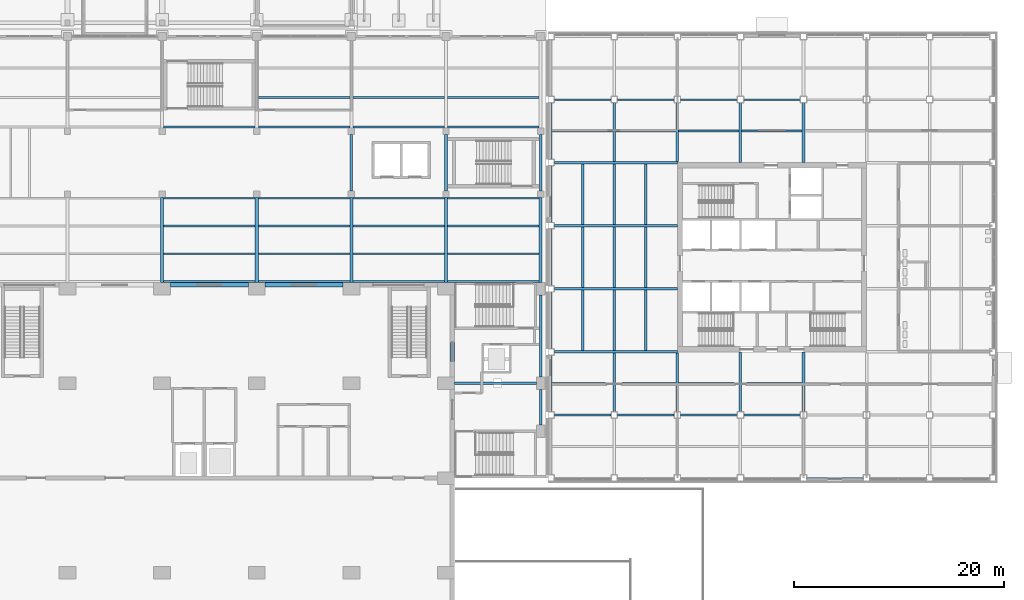
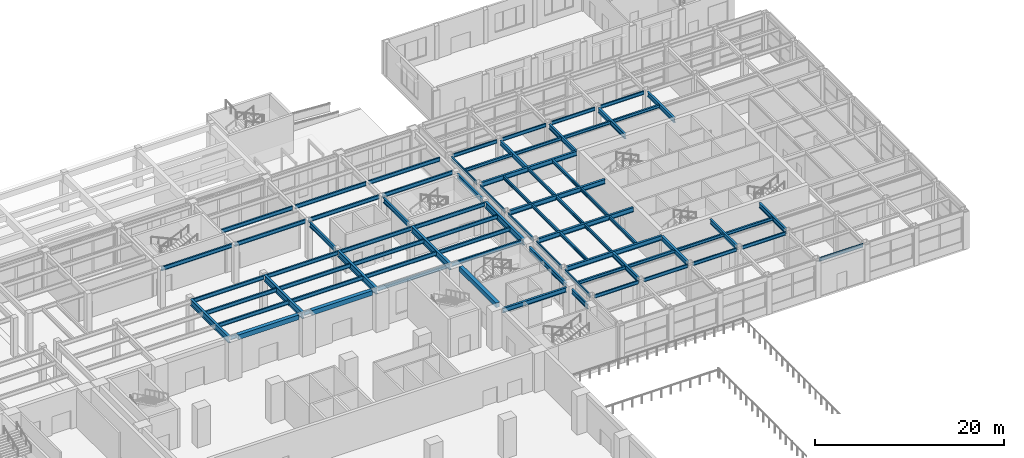
# One storey, part 19 of 77: 80 beams.
"""IFC4 building model written with IfcOpenShell, lengths in metres."""

from ifc_helpers import new_model, si_unit, direction, frame, origin, origin_2d, place, context, subcontext, project, spatial, rectangle, i_section, extrude, material, material_profile, profile_set, type_object, element, save


model = new_model("IFC4")

# Units and contexts
model_context = context("Model", 3, precision=1e-05, world=origin(), true_north=direction((0.0, 1.0)))
body_context = subcontext(model_context, "Body", "Model", "MODEL_VIEW")
ifc_project = project(units=[si_unit("LENGTHUNIT", "METRE"), si_unit("AREAUNIT", "SQUARE_METRE"), si_unit("VOLUMEUNIT", "CUBIC_METRE"), si_unit("PLANEANGLEUNIT", "RADIAN"), si_unit("MASSUNIT", "GRAM", prefix="KILO")], contexts=[model_context])

# Site, building, storey
site_placement = place(None, origin())
site = spatial("IfcSite", under=ifc_project, at=site_placement, CompositionType="ELEMENT")
building_placement = place(site_placement, origin())
building = spatial("IfcBuilding", under=site, at=building_placement, Name="Aravalli Gate Trade Fair Centre", CompositionType="ELEMENT")
storey_placement = place(building_placement, origin())
storey = spatial("IfcBuildingStorey", under=building, at=storey_placement, Name="L00", CompositionType="ELEMENT", Elevation=0.0)

# Beams
ifc_material_1 = material(Name="Concrete M45", Category="concrete")
ifc_material_profile_1 = material_profile(ifc_material_1, rectangle(XDim=0.449951171875, YDim=0.60009765625, at=origin_2d()), Name="RC 450x600")
ifc_profile_set_1 = profile_set([ifc_material_profile_1], Name="Concrete M45")
beam_type_1 = type_object("IfcBeamType", Name="Congress RC lintel beam 450 x 600", PredefinedType="BEAM", material=ifc_profile_set_1)
beam_1_placement = place(storey_placement, frame((150.60009765625, 100.60009765625, 4.699951171875), z_axis=(0.0, 1.0, 0.0), x_axis=(-1.0, 0.0, 0.0)))
element("IfcBeam", 1, at=beam_1_placement, inside=storey, type_object=beam_type_1, Name="Lintel E L00 bay 7", PredefinedType="BEAM", context=body_context, shape_type="SweptSolid", body=[
    extrude(rectangle(XDim=0.449951171875, YDim=0.60009765625, at=origin_2d()), origin(), (0.0, 0.0, 1.0), 7.7998046875),
])
for number, where, z_axis, x_axis, name in (
    (2, (123.800048828125, 109.375, 4.699951171875), (1.0, 0.0, 0.0), (0.0, 1.0, 0.0), "Lintel N L00 bay 3"),
    (3, (132.800048828125, 109.375, 4.699951171875), (1.0, 0.0, 0.0), (0.0, 1.0, 0.0), "Lintel N L00 bay 4"),
):
    element("IfcBeam", number, at=place(storey_placement, frame(where, z_axis=z_axis, x_axis=x_axis)), inside=storey, type_object=beam_type_1, Name=name, PredefinedType="BEAM", context=body_context, shape_type="SweptSolid", body=[
        extrude(rectangle(XDim=0.449951171875, YDim=0.60009765625, at=origin_2d()), origin(), (0.0, 0.0, 1.0), 7.39990234375),
    ])
ifc_material_2 = material(Name="Steel E350", Category="steel")
ifc_material_profile_2 = material_profile(ifc_material_2, i_section(OverallWidth=0.179931640625, OverallDepth=0.5, WebThickness=0.01025390625, FlangeThickness=0.01708984375, at=origin_2d()), Name="ISMB 500")
ifc_profile_set_2 = profile_set([ifc_material_profile_2], Name="Steel E350")
beam_type_2 = type_object("IfcBeamType", Name="ISMB 500 gallery secondary beam", PredefinedType="JOIST", material=ifc_profile_set_2)
for number, where, z_axis, x_axis, name in (
    (4, (123.14990234375, 109.68994140625, 4.550048828125), (1.0, 0.0, 0.0), (0.0, 1.0, 0.0), "Gallery beam S0 14-15 L01"),
    (5, (123.14990234375, 112.330078125, 4.550048828125), (1.0, 0.0, 0.0), (0.0, 1.0, 0.0), "Gallery beam S1 14-15 L01"),
    (6, (123.14990234375, 114.969970703125, 4.550048828125), (1.0, 0.0, 0.0), (0.0, 1.0, 0.0), "Gallery beam S2 14-15 L01"),
    (7, (123.14990234375, 117.610107421875, 4.550048828125), (1.0, 0.0, 0.0), (0.0, 1.0, 0.0), "Gallery beam S3 14-15 L01"),
    (8, (123.14990234375, 124.389892578125, 4.550048828125), (1.0, 0.0, 0.0), (0.0, 1.0, 0.0), "Gallery beam N4 14-15 L01"),
    (9, (132.14990234375, 109.68994140625, 4.550048828125), (1.0, 0.0, 0.0), (0.0, 1.0, 0.0), "Gallery beam S0 15-16 L01"),
    (10, (132.14990234375, 112.330078125, 4.550048828125), (1.0, 0.0, 0.0), (0.0, 1.0, 0.0), "Gallery beam S1 15-16 L01"),
    (11, (132.14990234375, 114.969970703125, 4.550048828125), (1.0, 0.0, 0.0), (0.0, 1.0, 0.0), "Gallery beam S2 15-16 L01"),
    (12, (132.14990234375, 117.610107421875, 4.550048828125), (1.0, 0.0, 0.0), (0.0, 1.0, 0.0), "Gallery beam S3 15-16 L01"),
    (13, (132.14990234375, 124.389892578125, 4.550048828125), (1.0, 0.0, 0.0), (0.0, 1.0, 0.0), "Gallery beam N4 15-16 L01"),
    (14, (132.14990234375, 127.203369140625, 4.550048828125), (1.0, 0.0, 0.0), (0.0, 1.0, 0.0), "Gallery beam N5 15-16 L01"),
    (15, (141.14990234375, 109.68994140625, 4.550048828125), (1.0, 0.0, 0.0), (0.0, 1.0, 0.0), "Gallery beam S0 16-17 L01"),
    (16, (141.14990234375, 112.330078125, 4.550048828125), (1.0, 0.0, 0.0), (0.0, 1.0, 0.0), "Gallery beam S1 16-17 L01"),
    (17, (141.14990234375, 114.969970703125, 4.550048828125), (1.0, 0.0, 0.0), (0.0, 1.0, 0.0), "Gallery beam S2 16-17 L01"),
    (18, (141.14990234375, 117.610107421875, 4.550048828125), (1.0, 0.0, 0.0), (0.0, 1.0, 0.0), "Gallery beam S3 16-17 L01"),
    (19, (141.14990234375, 124.389892578125, 4.550048828125), (1.0, 0.0, 0.0), (0.0, 1.0, 0.0), "Gallery beam N4 16-17 L01"),
    (20, (141.14990234375, 127.203369140625, 4.550048828125), (1.0, 0.0, 0.0), (0.0, 1.0, 0.0), "Gallery beam N5 16-17 L01"),
    (21, (150.14990234375, 109.68994140625, 4.550048828125), (1.0, 0.0, 0.0), (0.0, 1.0, 0.0), "Gallery beam S0 17-E L01"),
    (22, (150.14990234375, 112.330078125, 4.550048828125), (1.0, 0.0, 0.0), (0.0, 1.0, 0.0), "Gallery beam S1 17-E L01"),
    (23, (150.14990234375, 114.969970703125, 4.550048828125), (1.0, 0.0, 0.0), (0.0, 1.0, 0.0), "Gallery beam S2 17-E L01"),
    (24, (150.14990234375, 117.610107421875, 4.550048828125), (1.0, 0.0, 0.0), (0.0, 1.0, 0.0), "Gallery beam S3 17-E L01"),
    (25, (150.14990234375, 124.389892578125, 4.550048828125), (1.0, 0.0, 0.0), (0.0, 1.0, 0.0), "Gallery beam N4 17-E L01"),
    (26, (150.14990234375, 127.203369140625, 4.550048828125), (1.0, 0.0, 0.0), (0.0, 1.0, 0.0), "Gallery beam N5 17-E L01"),
):
    element("IfcBeam", number, at=place(storey_placement, frame(where, z_axis=z_axis, x_axis=x_axis)), inside=storey, type_object=beam_type_2, Name=name, PredefinedType="JOIST", context=body_context, shape_type="SweptSolid", body=[
        extrude(i_section(OverallWidth=0.179931640625, OverallDepth=0.5, WebThickness=0.01025390625, FlangeThickness=0.01708984375, at=origin_2d()), origin(), (0.0, 0.0, 1.0), 8.7001953125),
    ])
ifc_material_profile_3 = material_profile(ifc_material_2, i_section(OverallWidth=0.25, OverallDepth=0.60009765625, WebThickness=0.01123046875, FlangeThickness=0.021240234375, at=origin_2d()), Name="ISWB 600")
ifc_profile_set_3 = profile_set([ifc_material_profile_3], Name="Steel E350")
beam_type_3 = type_object("IfcBeamType", Name="ISWB 600 gallery girder", PredefinedType="BEAM", material=ifc_profile_set_3)
for number, where, z_axis, x_axis, name in (
    (27, (141.0, 118.300048828125, 4.5), (0.0, 1.0, 0.0), (-1.0, 0.0, 0.0), "Gallery girder M16 L01"),
    (28, (150.0, 118.300048828125, 4.5), (0.0, 1.0, 0.0), (-1.0, 0.0, 0.0), "Gallery girder M17 L01"),
    (29, (159.0, 118.300048828125, 4.5), (0.0, 1.0, 0.0), (-1.0, 0.0, 0.0), "Gallery girder ME L01"),
):
    element("IfcBeam", number, at=place(storey_placement, frame(where, z_axis=z_axis, x_axis=x_axis)), inside=storey, type_object=beam_type_3, Name=name, PredefinedType="BEAM", context=body_context, shape_type="SweptSolid", body=[
        extrude(i_section(OverallWidth=0.25, OverallDepth=0.60009765625, WebThickness=0.01123046875, FlangeThickness=0.021240234375, at=origin_2d()), origin(), (0.0, 0.0, 1.0), 5.39990234375),
    ])
ifc_material_profile_4 = material_profile(ifc_material_2, i_section(OverallWidth=0.2099609375, OverallDepth=0.60009765625, WebThickness=0.011962890625, FlangeThickness=0.020263671875, at=origin_2d()), Name="ISMB 600")
ifc_profile_set_4 = profile_set([ifc_material_profile_4], Name="Steel E350")
beam_type_4 = type_object("IfcBeamType", Name="Link girder ISMB 600", PredefinedType="BEAM", material=ifc_profile_set_4)
beam_2_placement = place(storey_placement, frame((159.0, 96.050048828125, 4.2900390625), z_axis=(0.0, 1.0, 0.0), x_axis=(-1.0, 0.0, 0.0)))
element("IfcBeam", 30, at=beam_2_placement, inside=storey, type_object=beam_type_4, Name="Link girder EFG L01", PredefinedType="BEAM", context=body_context, shape_type="SweptSolid", body=[
    extrude(i_section(OverallWidth=0.2099609375, OverallDepth=0.60009765625, WebThickness=0.011962890625, FlangeThickness=0.020263671875, at=origin_2d()), origin(), (0.0, 0.0, 1.0), 3.349853515625),
])
ifc_material_profile_5 = material_profile(ifc_material_2, i_section(OverallWidth=0.25, OverallDepth=0.60009765625, WebThickness=0.01123046875, FlangeThickness=0.021240234375, at=origin_2d()), Name="ISWB 600")
ifc_profile_set_5 = profile_set([ifc_material_profile_5], Name="Steel E350")
beam_type_5 = type_object("IfcBeamType", Name="Link transfer girder ISWB 600", PredefinedType="BEAM", material=ifc_profile_set_5)
beam_3_placement = place(storey_placement, frame((159.0, 100.60009765625, 4.2900390625), z_axis=(0.0, 1.0, 0.0), x_axis=(-1.0, 0.0, 0.0)))
element("IfcBeam", 31, at=beam_3_placement, inside=storey, type_object=beam_type_5, Name="Link transfer girder EGH L01", PredefinedType="BEAM", context=body_context, shape_type="SweptSolid", body=[
    extrude(i_section(OverallWidth=0.25, OverallDepth=0.60009765625, WebThickness=0.01123046875, FlangeThickness=0.021240234375, at=origin_2d()), origin(), (0.0, 0.0, 1.0), 7.7998046875),
])
beam_4_placement = place(storey_placement, frame((150.800048828125, 100.0, 4.2900390625), z_axis=(1.0, 0.0, 0.0), x_axis=(0.0, 1.0, 0.0)))
element("IfcBeam", 32, at=beam_4_placement, inside=storey, type_object=beam_type_5, Name="Link transfer girder WE L01", PredefinedType="BEAM", context=body_context, shape_type="SweptSolid", body=[
    extrude(i_section(OverallWidth=0.25, OverallDepth=0.60009765625, WebThickness=0.01123046875, FlangeThickness=0.021240234375, at=origin_2d()), origin(), (0.0, 0.0, 1.0), 7.800048828125),
])
ifc_material_profile_6 = material_profile(ifc_material_2, i_section(OverallWidth=0.300048828125, OverallDepth=0.800048828125, WebThickness=0.011962890625, FlangeThickness=0.02490234375, at=origin_2d()), Name="PG 800x300x12x25")
ifc_profile_set_6 = profile_set([ifc_material_profile_6], Name="Steel E350")
beam_type_6 = type_object("IfcBeamType", Name="PG 800x300x12x25 gallery plate girder", PredefinedType="BEAM", material=ifc_profile_set_6)
for number, where, z_axis, x_axis, name in (
    (33, (123.0, 109.60009765625, 4.39990234375), (0.0, 1.0, 0.0), (-1.0, 0.0, 0.0), "Gallery girder S14 L01"),
    (34, (132.0, 109.60009765625, 4.39990234375), (0.0, 1.0, 0.0), (-1.0, 0.0, 0.0), "Gallery girder S15 L01"),
    (35, (141.0, 109.60009765625, 4.39990234375), (0.0, 1.0, 0.0), (-1.0, 0.0, 0.0), "Gallery girder S16 L01"),
    (36, (150.0, 109.60009765625, 4.39990234375), (0.0, 1.0, 0.0), (-1.0, 0.0, 0.0), "Gallery girder S17 L01"),
    (37, (159.0, 109.60009765625, 4.39990234375), (0.0, 1.0, 0.0), (-1.0, 0.0, 0.0), "Gallery girder SE L01"),
):
    element("IfcBeam", number, at=place(storey_placement, frame(where, z_axis=z_axis, x_axis=x_axis)), inside=storey, type_object=beam_type_6, Name=name, PredefinedType="BEAM", context=body_context, shape_type="SweptSolid", body=[
        extrude(i_section(OverallWidth=0.300048828125, OverallDepth=0.800048828125, WebThickness=0.011962890625, FlangeThickness=0.02490234375, at=origin_2d()), origin(), (0.0, 0.0, 1.0), 8.099853515625),
    ])
ifc_material_profile_7 = material_profile(ifc_material_2, i_section(OverallWidth=0.25, OverallDepth=0.60009765625, WebThickness=0.01123046875, FlangeThickness=0.021240234375, at=origin_2d()), Name="ISWB 600")
ifc_profile_set_7 = profile_set([ifc_material_profile_7], Name="Steel E350")
beam_type_7 = type_object("IfcBeamType", Name="Wing core to perimeter girder ISWB 600 (podium floors)", PredefinedType="BEAM", material=ifc_profile_set_7)
for number, where, z_axis, x_axis, name in (
    (38, (160.300048828125, 103.0, 4.5), (1.0, 0.0, 0.0), (0.0, 1.0, 0.0), "Core to perimeter girder PW0 L01"),
    (39, (160.300048828125, 109.0, 4.5), (1.0, 0.0, 0.0), (0.0, 1.0, 0.0), "Core to perimeter girder PW1 L01"),
    (40, (160.300048828125, 115.0, 4.5), (1.0, 0.0, 0.0), (0.0, 1.0, 0.0), "Core to perimeter girder PW2 L01"),
    (41, (160.300048828125, 121.0, 4.5), (1.0, 0.0, 0.0), (0.0, 1.0, 0.0), "Core to perimeter girder PW3 L01"),
):
    element("IfcBeam", number, at=place(storey_placement, frame(where, z_axis=z_axis, x_axis=x_axis)), inside=storey, type_object=beam_type_7, Name=name, PredefinedType="BEAM", context=body_context, shape_type="SweptSolid", body=[
        extrude(i_section(OverallWidth=0.25, OverallDepth=0.60009765625, WebThickness=0.01123046875, FlangeThickness=0.021240234375, at=origin_2d()), origin(), (0.0, 0.0, 1.0), 11.699951171875),
    ])
for number, where, z_axis, x_axis, name in (
    (42, (172.0, 97.300048828125, 4.5), (0.0, 1.0, 0.0), (-1.0, 0.0, 0.0), "Core to perimeter girder PS0b L01"),
    (43, (172.0, 121.125, 4.5), (0.0, 1.0, 0.0), (-1.0, 0.0, 0.0), "Core to perimeter girder PN0a L01"),
):
    element("IfcBeam", number, at=place(storey_placement, frame(where, z_axis=z_axis, x_axis=x_axis)), inside=storey, type_object=beam_type_7, Name=name, PredefinedType="BEAM", context=body_context, shape_type="SweptSolid", body=[
        extrude(i_section(OverallWidth=0.25, OverallDepth=0.60009765625, WebThickness=0.01123046875, FlangeThickness=0.021240234375, at=origin_2d()), origin(), (0.0, 0.0, 1.0), 5.574951171875),
    ])
for number, where, z_axis, x_axis, name in (
    (44, (178.0, 97.300048828125, 4.5), (0.0, 1.0, 0.0), (-1.0, 0.0, 0.0), "Core to perimeter girder PS1b L01"),
    (45, (178.0, 121.0, 4.5), (0.0, 1.0, 0.0), (-1.0, 0.0, 0.0), "Core to perimeter girder PN1a L01"),
    (46, (184.0, 97.300048828125, 4.5), (0.0, 1.0, 0.0), (-1.0, 0.0, 0.0), "Core to perimeter girder PS2b L01"),
    (47, (184.0, 121.0, 4.5), (0.0, 1.0, 0.0), (-1.0, 0.0, 0.0), "Core to perimeter girder PN2a L01"),
):
    element("IfcBeam", number, at=place(storey_placement, frame(where, z_axis=z_axis, x_axis=x_axis)), inside=storey, type_object=beam_type_7, Name=name, PredefinedType="BEAM", context=body_context, shape_type="SweptSolid", body=[
        extrude(i_section(OverallWidth=0.25, OverallDepth=0.60009765625, WebThickness=0.01123046875, FlangeThickness=0.021240234375, at=origin_2d()), origin(), (0.0, 0.0, 1.0), 5.699951171875),
    ])
ifc_material_profile_8 = material_profile(ifc_material_2, i_section(OverallWidth=0.25, OverallDepth=0.60009765625, WebThickness=0.01123046875, FlangeThickness=0.021240234375, at=origin_2d()), Name="ISWB 600")
ifc_profile_set_8 = profile_set([ifc_material_profile_8], Name="Steel E350")
beam_type_8 = type_object("IfcBeamType", Name="Wing corner transfer girder ISWB 600 (podium floors)", PredefinedType="BEAM", material=ifc_profile_set_8)
for number, where, z_axis, x_axis, name in (
    (48, (166.0, 97.300048828125, 4.5), (0.0, 1.0, 0.0), (-1.0, 0.0, 0.0), "Corner transfer girder CSWyb L01"),
    (49, (166.0, 121.125, 4.5), (0.0, 1.0, 0.0), (-1.0, 0.0, 0.0), "Corner transfer girder CNWya L01"),
):
    element("IfcBeam", number, at=place(storey_placement, frame(where, z_axis=z_axis, x_axis=x_axis)), inside=storey, type_object=beam_type_8, Name=name, PredefinedType="BEAM", context=body_context, shape_type="SweptSolid", body=[
        extrude(i_section(OverallWidth=0.25, OverallDepth=0.60009765625, WebThickness=0.01123046875, FlangeThickness=0.021240234375, at=origin_2d()), origin(), (0.0, 0.0, 1.0), 5.574951171875),
    ])
ifc_material_profile_9 = material_profile(ifc_material_2, i_section(OverallWidth=0.14990234375, OverallDepth=0.449951171875, WebThickness=0.009521484375, FlangeThickness=0.017333984375, at=origin_2d()), Name="ISMB 450")
ifc_profile_set_9 = profile_set([ifc_material_profile_9], Name="Steel E350")
beam_type_9 = type_object("IfcBeamType", Name="Wing perimeter beam ISMB 450 (podium floors)", PredefinedType="BEAM", material=ifc_profile_set_9)
for number, where, z_axis, x_axis, name in (
    (50, (184.300048828125, 91.0, 4.574951171875), (1.0, 0.0, 0.0), (0.0, 1.0, 0.0), "Perimeter beam ES4 L01"),
    (51, (160.300048828125, 97.0, 4.574951171875), (1.0, 0.0, 0.0), (0.0, 1.0, 0.0), "Perimeter beam ER0 L01"),
    (52, (160.300048828125, 127.0, 4.574951171875), (1.0, 0.0, 0.0), (0.0, 1.0, 0.0), "Perimeter beam EQ0 L01"),
    (53, (166.300048828125, 97.0, 4.574951171875), (1.0, 0.0, 0.0), (0.0, 1.0, 0.0), "Perimeter beam ER1 L01"),
    (54, (166.300048828125, 127.0, 4.574951171875), (1.0, 0.0, 0.0), (0.0, 1.0, 0.0), "Perimeter beam EQ1 L01"),
    (55, (172.300048828125, 97.0, 4.574951171875), (1.0, 0.0, 0.0), (0.0, 1.0, 0.0), "Perimeter beam ER2 L01"),
    (56, (172.300048828125, 127.0, 4.574951171875), (1.0, 0.0, 0.0), (0.0, 1.0, 0.0), "Perimeter beam EQ2 L01"),
    (57, (178.300048828125, 97.0, 4.574951171875), (1.0, 0.0, 0.0), (0.0, 1.0, 0.0), "Perimeter beam ER3 L01"),
    (58, (178.300048828125, 127.0, 4.574951171875), (1.0, 0.0, 0.0), (0.0, 1.0, 0.0), "Perimeter beam EQ3 L01"),
    (59, (160.0, 97.300048828125, 4.574951171875), (0.0, 1.0, 0.0), (-1.0, 0.0, 0.0), "Perimeter beam EW1 L01"),
    (60, (160.0, 103.300048828125, 4.574951171875), (0.0, 1.0, 0.0), (-1.0, 0.0, 0.0), "Perimeter beam EW2 L01"),
    (61, (160.0, 109.300048828125, 4.574951171875), (0.0, 1.0, 0.0), (-1.0, 0.0, 0.0), "Perimeter beam EW3 L01"),
    (62, (160.0, 115.300048828125, 4.574951171875), (0.0, 1.0, 0.0), (-1.0, 0.0, 0.0), "Perimeter beam EW4 L01"),
    (63, (160.0, 121.300048828125, 4.574951171875), (0.0, 1.0, 0.0), (-1.0, 0.0, 0.0), "Perimeter beam EW5 L01"),
):
    element("IfcBeam", number, at=place(storey_placement, frame(where, z_axis=z_axis, x_axis=x_axis)), inside=storey, type_object=beam_type_9, Name=name, PredefinedType="BEAM", context=body_context, shape_type="SweptSolid", body=[
        extrude(i_section(OverallWidth=0.14990234375, OverallDepth=0.449951171875, WebThickness=0.009521484375, FlangeThickness=0.017333984375, at=origin_2d()), origin(), (0.0, 0.0, 1.0), 5.39990234375),
    ])
ifc_material_profile_10 = material_profile(ifc_material_2, i_section(OverallWidth=0.199951171875, OverallDepth=0.39990234375, WebThickness=0.008544921875, FlangeThickness=0.012939453125, at=origin_2d()), Name="ISWB 400")
ifc_profile_set_10 = profile_set([ifc_material_profile_10], Name="Steel E350")
beam_type_10 = type_object("IfcBeamType", Name="Wing secondary beam ISWB 400 (podium floors)", PredefinedType="BEAM", material=ifc_profile_set_10)
beam_5_placement = place(storey_placement, frame((160.074951171875, 100.0, 4.60009765625), z_axis=(1.0, 0.0, 0.0), x_axis=(0.0, 1.0, 0.0)))
element("IfcBeam", 64, at=beam_5_placement, inside=storey, type_object=beam_type_10, Name="Secondary beam KWS10 L01", PredefinedType="BEAM", context=body_context, shape_type="SweptSolid", body=[
    extrude(i_section(OverallWidth=0.199951171875, OverallDepth=0.39990234375, WebThickness=0.008544921875, FlangeThickness=0.012939453125, at=origin_2d()), origin(), (0.0, 0.0, 1.0), 5.800048828125),
])
beam_6_placement = place(storey_placement, frame((166.125, 100.0, 4.60009765625), z_axis=(1.0, 0.0, 0.0), x_axis=(0.0, 1.0, 0.0)))
element("IfcBeam", 65, at=beam_6_placement, inside=storey, type_object=beam_type_10, Name="Secondary beam KWS11 L01", PredefinedType="BEAM", context=body_context, shape_type="SweptSolid", body=[
    extrude(i_section(OverallWidth=0.199951171875, OverallDepth=0.39990234375, WebThickness=0.008544921875, FlangeThickness=0.012939453125, at=origin_2d()), origin(), (0.0, 0.0, 1.0), 5.75),
])
beam_7_placement = place(storey_placement, frame((160.074951171875, 124.0, 4.60009765625), z_axis=(1.0, 0.0, 0.0), x_axis=(0.0, 1.0, 0.0)))
element("IfcBeam", 66, at=beam_7_placement, inside=storey, type_object=beam_type_10, Name="Secondary beam KWN00 L01", PredefinedType="BEAM", context=body_context, shape_type="SweptSolid", body=[
    extrude(i_section(OverallWidth=0.199951171875, OverallDepth=0.39990234375, WebThickness=0.008544921875, FlangeThickness=0.012939453125, at=origin_2d()), origin(), (0.0, 0.0, 1.0), 5.800048828125),
])
for number, where, z_axis, x_axis, name in (
    (67, (166.125, 124.0, 4.60009765625), (1.0, 0.0, 0.0), (0.0, 1.0, 0.0), "Secondary beam KWN01 L01"),
    (68, (163.0, 103.125, 4.60009765625), (0.0, 1.0, 0.0), (-1.0, 0.0, 0.0), "Secondary beam BW0163 L01"),
    (69, (166.0, 103.125, 4.60009765625), (0.0, 1.0, 0.0), (-1.0, 0.0, 0.0), "Secondary beam BW0166 L01"),
    (70, (169.0, 103.125, 4.60009765625), (0.0, 1.0, 0.0), (-1.0, 0.0, 0.0), "Secondary beam BW0169 L01"),
    (71, (163.0, 109.125, 4.60009765625), (0.0, 1.0, 0.0), (-1.0, 0.0, 0.0), "Secondary beam BW1163 L01"),
    (72, (166.0, 109.125, 4.60009765625), (0.0, 1.0, 0.0), (-1.0, 0.0, 0.0), "Secondary beam BW1166 L01"),
    (73, (169.0, 109.125, 4.60009765625), (0.0, 1.0, 0.0), (-1.0, 0.0, 0.0), "Secondary beam BW1169 L01"),
    (74, (163.0, 115.125, 4.60009765625), (0.0, 1.0, 0.0), (-1.0, 0.0, 0.0), "Secondary beam BW2163 L01"),
    (75, (166.0, 115.125, 4.60009765625), (0.0, 1.0, 0.0), (-1.0, 0.0, 0.0), "Secondary beam BW2166 L01"),
    (76, (169.0, 115.125, 4.60009765625), (0.0, 1.0, 0.0), (-1.0, 0.0, 0.0), "Secondary beam BW2169 L01"),
    (77, (172.125, 100.0, 4.60009765625), (1.0, 0.0, 0.0), (0.0, 1.0, 0.0), "Secondary beam BS0100 L01"),
    (78, (178.125, 100.0, 4.60009765625), (1.0, 0.0, 0.0), (0.0, 1.0, 0.0), "Secondary beam BS1100 L01"),
    (79, (172.125, 124.0, 4.60009765625), (1.0, 0.0, 0.0), (0.0, 1.0, 0.0), "Secondary beam BN0124 L01"),
    (80, (178.125, 124.0, 4.60009765625), (1.0, 0.0, 0.0), (0.0, 1.0, 0.0), "Secondary beam BN1124 L01"),
):
    element("IfcBeam", number, at=place(storey_placement, frame(where, z_axis=z_axis, x_axis=x_axis)), inside=storey, type_object=beam_type_10, Name=name, PredefinedType="BEAM", context=body_context, shape_type="SweptSolid", body=[
        extrude(i_section(OverallWidth=0.199951171875, OverallDepth=0.39990234375, WebThickness=0.008544921875, FlangeThickness=0.012939453125, at=origin_2d()), origin(), (0.0, 0.0, 1.0), 5.75),
    ])

save(model, "model.ifc")
